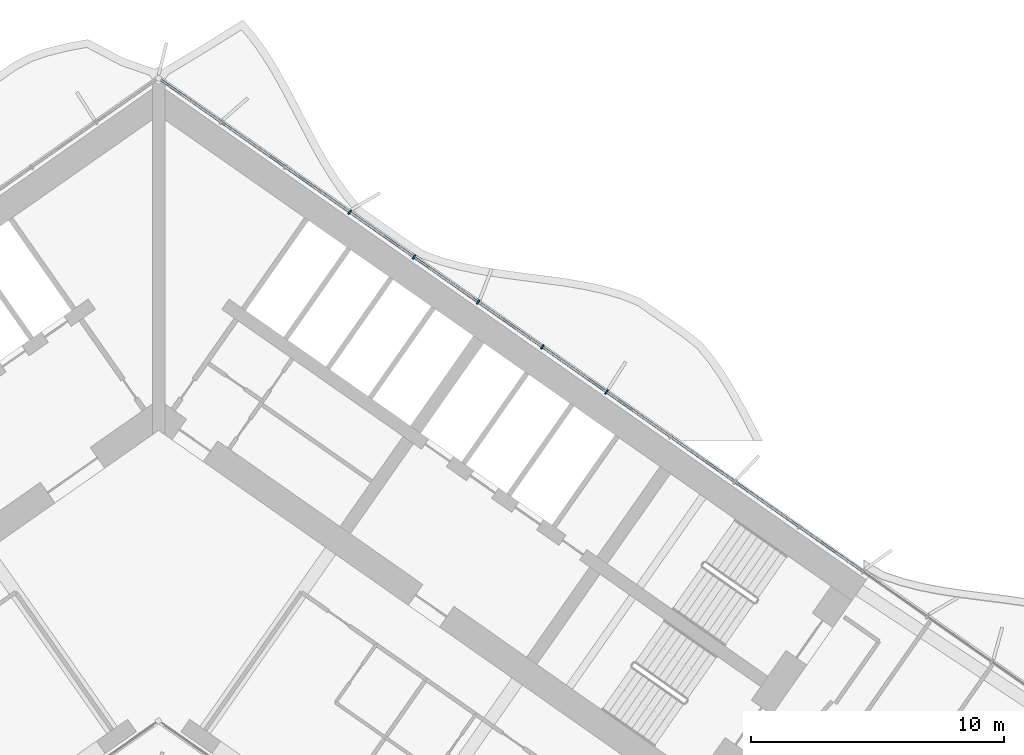
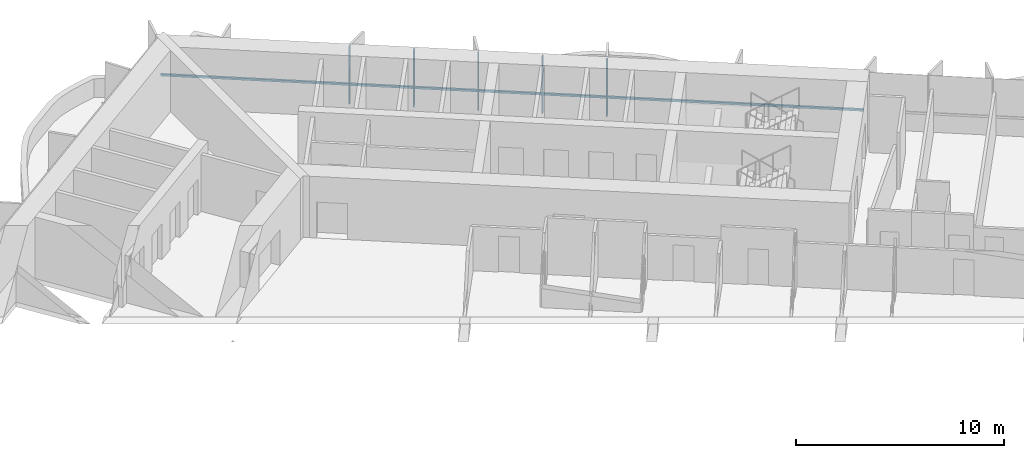
# One storey, part 8 of 23: 6 members, 1 element without a shape of its own.
"""IFC4 building model written with IfcOpenShell, lengths in metres."""

from ifc_helpers import new_model, si_unit, direction, frame, origin, origin_2d, place, context, subcontext, project, spatial, rectangle, extrude, material, material_profile, profile_set, type_object, element, aggregate, save


model = new_model("IFC4")

# Units and contexts
model_context = context("Model", 3, precision=1e-05, world=origin(), true_north=direction((0.0, 1.0)))
body_context = subcontext(model_context, "Body", "Model", "MODEL_VIEW")
ifc_project = project(units=[si_unit("LENGTHUNIT", "METRE"), si_unit("AREAUNIT", "SQUARE_METRE"), si_unit("VOLUMEUNIT", "CUBIC_METRE"), si_unit("PLANEANGLEUNIT", "RADIAN"), si_unit("MASSUNIT", "GRAM", prefix="KILO")], contexts=[model_context])

# Site, building, storey
site_placement = place(None, origin())
site = spatial("IfcSite", under=ifc_project, at=site_placement, CompositionType="ELEMENT")
building_placement = place(site_placement, origin())
building = spatial("IfcBuilding", under=site, at=building_placement, Name="Tel Ilan Convention Tower", CompositionType="ELEMENT")
storey_placement = place(building_placement, frame((0.0, 0.0, 108.5)))
storey = spatial("IfcBuildingStorey", under=building, at=storey_placement, Name="L23", CompositionType="ELEMENT", Elevation=108.5)

# Curtain wall, members
ifc_material_1 = material(Name="Aluminium, bronze anodised", Category="aluminium")
curtain_wall_type = type_object("IfcCurtainWallType", Name="CW2 STICK CURTAIN WALL, SPANDREL PANELS", PredefinedType="NOTDEFINED", material=ifc_material_1)
curtain_wall_placement = place(storey_placement, origin())
curtain_wall = element("IfcCurtainWall", 1, at=curtain_wall_placement, inside=storey, type_object=curtain_wall_type, Name="Curtain wall CW2-19.01", PredefinedType="NOTDEFINED")
ifc_material_2 = material(Name="Aluminium, bronze anodised", Category="aluminium")
ifc_material_profile_1 = material_profile(ifc_material_2, rectangle(XDim=0.06005859375, YDim=0.199951171875, at=origin_2d()), Name="CW MULLION 60x200")
ifc_profile_set_1 = profile_set([ifc_material_profile_1], Name="Aluminium, bronze anodised")
member_type_1 = type_object("IfcMemberType", Name="CW MULLION 60x200", PredefinedType="MULLION", material=ifc_profile_set_1)
member_1_placement = place(storey_placement, frame((17.701171875, 0.301513671875, 0.0), z_axis=(0.0, 0.0, 1.0), x_axis=(-0.819152044289, 0.573576436351, 0.0)))
member_1 = element("IfcMember", 2, at=member_1_placement, type_object=member_type_1, Name="Mullion", PredefinedType="MULLION", context=body_context, shape_type="SweptSolid", body=[
    extrude(rectangle(XDim=0.06005859375, YDim=0.199951171875, at=origin_2d()), origin(), (0.0, 0.0, 1.0), 3.320068359375),
])
member_2_placement = place(storey_placement, frame((15.1640625, 2.077880859375, 0.0), z_axis=(0.0, 0.0, 1.0), x_axis=(-0.819152044289, 0.573576436351, 0.0)))
member_2 = element("IfcMember", 3, at=member_2_placement, type_object=member_type_1, Name="Mullion", PredefinedType="MULLION", context=body_context, shape_type="SweptSolid", body=[
    extrude(rectangle(XDim=0.06005859375, YDim=0.199951171875, at=origin_2d()), origin(), (0.0, 0.0, 1.0), 3.320068359375),
])
member_3_placement = place(storey_placement, frame((12.627197265625, 3.854248046875, 0.0), z_axis=(0.0, 0.0, 1.0), x_axis=(-0.819152044289, 0.573576436351, 0.0)))
member_3 = element("IfcMember", 4, at=member_3_placement, type_object=member_type_1, Name="Mullion", PredefinedType="MULLION", context=body_context, shape_type="SweptSolid", body=[
    extrude(rectangle(XDim=0.06005859375, YDim=0.199951171875, at=origin_2d()), origin(), (0.0, 0.0, 1.0), 3.320068359375),
])
member_4_placement = place(storey_placement, frame((10.09033203125, 5.630615234375, 0.0), z_axis=(0.0, 0.0, 1.0), x_axis=(-0.819152044289, 0.573576436351, 0.0)))
member_4 = element("IfcMember", 5, at=member_4_placement, type_object=member_type_1, Name="Mullion", PredefinedType="MULLION", context=body_context, shape_type="SweptSolid", body=[
    extrude(rectangle(XDim=0.06005859375, YDim=0.199951171875, at=origin_2d()), origin(), (0.0, 0.0, 1.0), 3.320068359375),
])
member_5_placement = place(storey_placement, frame((7.553466796875, 7.406982421875, 0.0), z_axis=(0.0, 0.0, 1.0), x_axis=(-0.819152044289, 0.573576436351, 0.0)))
member_5 = element("IfcMember", 6, at=member_5_placement, type_object=member_type_1, Name="Mullion", PredefinedType="MULLION", context=body_context, shape_type="SweptSolid", body=[
    extrude(rectangle(XDim=0.06005859375, YDim=0.199951171875, at=origin_2d()), origin(), (0.0, 0.0, 1.0), 3.320068359375),
])
ifc_material_3 = material(Name="Aluminium, bronze anodised", Category="aluminium")
ifc_material_profile_2 = material_profile(ifc_material_3, rectangle(XDim=0.10009765625, YDim=0.1201171875, at=origin_2d()), Name="CW TRANSOM 100x120")
ifc_profile_set_2 = profile_set([ifc_material_profile_2], Name="Aluminium, bronze anodised")
member_type_2 = type_object("IfcMemberType", Name="CW TRANSOM 100x120", PredefinedType="USERDEFINED", material=ifc_profile_set_2)
member_6_placement = place(storey_placement, frame((27.82421875, -6.78662109375, 1.10009765625), z_axis=(-0.819151916241, 0.573576619222, 0.0), x_axis=(-0.573576619222, -0.819151916241, 0.0)))
member_6 = element("IfcMember", 7, at=member_6_placement, type_object=member_type_2, Name="Transom", ObjectType="TRANSOM", PredefinedType="USERDEFINED", context=body_context, shape_type="SweptSolid", body=[
    extrude(rectangle(XDim=0.10009765625, YDim=0.1201171875, at=origin_2d()), origin(), (0.0, 0.0, 1.0), 33.837158203125),
])
aggregate(curtain_wall, [member_1, member_2, member_3, member_4, member_5, member_6])

save(model, "model.ifc")
